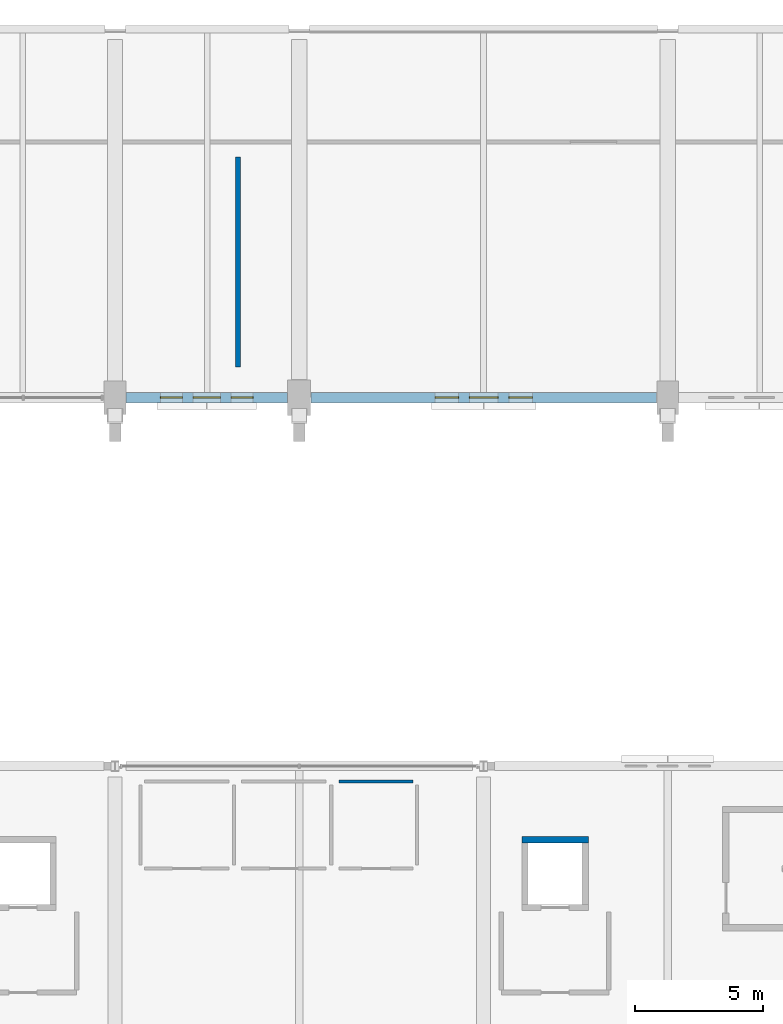
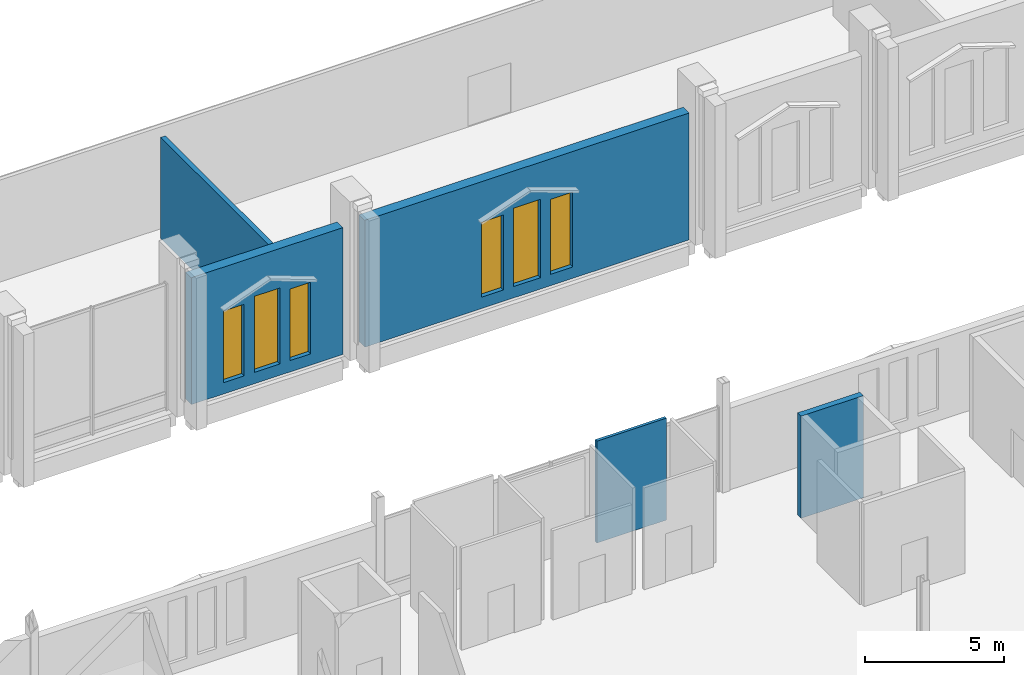
# One storey, part 151 of 220: 6 windows, 5 walls, 6 openings.
"""IFC4 building model written with IfcOpenShell, lengths in metres."""

from ifc_helpers import new_model, si_unit, direction, frame, frame_2d, origin, place, context, subcontext, project, spatial, rectangle, extrude, material, layer, layer_set, type_object, element, fill, save


model = new_model("IFC4")

# Units and contexts
model_context = context("Model", 3, precision=1e-05, world=origin(), true_north=direction((0.0, 1.0)))
body_context = subcontext(model_context, "Body", "Model", "MODEL_VIEW")
ifc_project = project(units=[si_unit("LENGTHUNIT", "METRE"), si_unit("AREAUNIT", "SQUARE_METRE"), si_unit("VOLUMEUNIT", "CUBIC_METRE"), si_unit("PLANEANGLEUNIT", "RADIAN"), si_unit("MASSUNIT", "GRAM", prefix="KILO")], contexts=[model_context])

# Site, building, storey
site_placement = place(None, origin())
site = spatial("IfcSite", under=ifc_project, at=site_placement, CompositionType="ELEMENT")
building_placement = place(site_placement, origin())
building = spatial("IfcBuilding", under=site, at=building_placement, Name="Cendralis Lancet Convention Centre", CompositionType="ELEMENT")
storey_placement = place(building_placement, frame((0.0, 0.0, 5.39990234375)))
storey = spatial("IfcBuildingStorey", under=building, at=storey_placement, Name="L01", CompositionType="ELEMENT", Elevation=5.39990234375)

# Wall, openings, windows
ifc_material_1 = material(Name="Buff sandstone ashlar and Concrete G40 (C40/50)", Category="masonry")
ifc_layer_1 = layer(ifc_material_1, 0.419921875, Name="Buff sandstone ashlar and Concrete G40 (C40/50)")
ifc_layer_set_1 = layer_set([ifc_layer_1], Name="Buff sandstone ashlar and Concrete G40 (C40/50)")
wall_type_1 = type_object("IfcWallType", Name="ARC-EW-W420", PredefinedType="STANDARD", material=ifc_layer_set_1)
wall_1_placement = place(storey_placement, frame((49.94189453125, 50.39990234375, 0.0), z_axis=(0.0, 0.0, 1.0), x_axis=(-1.0, 0.0, 0.0)))
wall_1 = element("IfcWall", 1, at=wall_1_placement, inside=storey, type_object=wall_type_1, Name="L01 V1 Exterior Wall EW-01 #0056", PredefinedType="STANDARD", context=body_context, shape_type="SweptSolid", body=[
    extrude(rectangle(XDim=6.308837890625, YDim=0.419921875, at=frame_2d((3.154296875, 0.0))), origin(), (0.0, 0.0, 1.0), 5.585205078125),
])
opening_1_placement = place(wall_1_placement, frame((1.344482421875, 0.0, 0.5)))
opening_1 = element("IfcOpeningElement", 2, at=opening_1_placement, cuts=wall_1, Name="Opening WN-03", PredefinedType="OPENING", context=body_context, shape_type="SweptSolid", body=[
    extrude(rectangle(XDim=0.860107421875, YDim=3.14990234375, at=frame_2d((0.43017578125, 1.574951171875))), frame((0.0, 0.219970703125, 0.0), z_axis=(0.0, -1.0, 0.0), x_axis=(1.0, 0.0, 0.0)), (0.0, 0.0, 1.0), 0.43994140625),
])
opening_2_placement = place(wall_1_placement, frame((2.62451171875, 0.0, 0.5)))
opening_2 = element("IfcOpeningElement", 3, at=opening_2_placement, cuts=wall_1, Name="Opening WN-11", PredefinedType="OPENING", context=body_context, shape_type="SweptSolid", body=[
    extrude(rectangle(XDim=1.06005859375, YDim=3.35009765625, at=frame_2d((0.530029296875, 1.675048828125))), frame((0.0, 0.219970703125, 0.0), z_axis=(0.0, -1.0, 0.0), x_axis=(1.0, 0.0, 0.0)), (0.0, 0.0, 1.0), 0.43994140625),
])
opening_3_placement = place(wall_1_placement, frame((4.1044921875, 0.0, 0.5)))
opening_3 = element("IfcOpeningElement", 4, at=opening_3_placement, cuts=wall_1, Name="Opening WN-03", PredefinedType="OPENING", context=body_context, shape_type="SweptSolid", body=[
    extrude(rectangle(XDim=0.860107421875, YDim=3.14990234375, at=frame_2d((0.43017578125, 1.574951171875))), frame((0.0, 0.219970703125, 0.0), z_axis=(0.0, -1.0, 0.0), x_axis=(1.0, 0.0, 0.0)), (0.0, 0.0, 1.0), 0.43994140625),
])
ifc_material_2 = material(Name="Double-glazed low-E solar-control glass", Category="glass")
window_type_1 = type_object("IfcWindowType", Name="ARC-WN-LW03", PartitioningType="SINGLE_PANEL", PredefinedType="WINDOW", material=ifc_material_2)
window_1_placement = place(opening_1_placement, origin())
window_1 = element("IfcWindow", 5, at=window_1_placement, inside=storey, type_object=window_type_1, Name="Gothic Lancet Window WN-03 #0082", OverallHeight=3.14990234375, OverallWidth=0.860107421875, PartitioningType="SINGLE_PANEL", PredefinedType="WINDOW", context=body_context, shape_type="SweptSolid", body=[
    extrude(rectangle(XDim=0.860107421875, YDim=3.14990234375, at=frame_2d((0.43017578125, 1.574951171875))), frame((0.0, 0.030029296875, 0.0), z_axis=(0.0, -1.0, 0.0), x_axis=(1.0, 0.0, 0.0)), (0.0, 0.0, 1.0), 0.06005859375),
])
fill(opening_1, window_1)
window_2_placement = place(opening_3_placement, origin())
window_2 = element("IfcWindow", 6, at=window_2_placement, inside=storey, type_object=window_type_1, Name="Gothic Lancet Window WN-03 #0084", OverallHeight=3.14990234375, OverallWidth=0.860107421875, PartitioningType="SINGLE_PANEL", PredefinedType="WINDOW", context=body_context, shape_type="SweptSolid", body=[
    extrude(rectangle(XDim=0.860107421875, YDim=3.14990234375, at=frame_2d((0.43017578125, 1.574951171875))), frame((0.0, 0.030029296875, 0.0), z_axis=(0.0, -1.0, 0.0), x_axis=(1.0, 0.0, 0.0)), (0.0, 0.0, 1.0), 0.06005859375),
])
fill(opening_3, window_2)
window_type_2 = type_object("IfcWindowType", Name="ARC-WN-LW11", PartitioningType="SINGLE_PANEL", PredefinedType="WINDOW", material=ifc_material_2)
window_3_placement = place(opening_2_placement, origin())
window_3 = element("IfcWindow", 7, at=window_3_placement, inside=storey, type_object=window_type_2, Name="Gothic Lancet Window WN-11 #0083", OverallHeight=3.35009765625, OverallWidth=1.06005859375, PartitioningType="SINGLE_PANEL", PredefinedType="WINDOW", context=body_context, shape_type="SweptSolid", body=[
    extrude(rectangle(XDim=1.06005859375, YDim=3.35009765625, at=frame_2d((0.530029296875, 1.675048828125))), frame((0.0, 0.030029296875, 0.0), z_axis=(0.0, -1.0, 0.0), x_axis=(1.0, 0.0, 0.0)), (0.0, 0.0, 1.0), 0.06005859375),
])
fill(opening_2, window_3)

wall_2_placement = place(storey_placement, frame((64.366943359375, 50.39990234375, 0.0), z_axis=(0.0, 0.0, 1.0), x_axis=(-1.0, 0.0, 0.0)))
wall_2 = element("IfcWall", 8, at=wall_2_placement, inside=storey, type_object=wall_type_1, Name="L01 V1 Exterior Wall EW-01 #0057", PredefinedType="STANDARD", context=body_context, shape_type="SweptSolid", body=[
    extrude(rectangle(XDim=13.509033203125, YDim=0.419921875, at=frame_2d((6.75439453125, 0.0))), origin(), (0.0, 0.0, 1.0), 5.585205078125),
])
opening_4_placement = place(wall_2_placement, frame((4.8544921875, 0.0, 0.5)))
opening_4 = element("IfcOpeningElement", 9, at=opening_4_placement, cuts=wall_2, Name="Opening WN-04", PredefinedType="OPENING", context=body_context, shape_type="SweptSolid", body=[
    extrude(rectangle(XDim=0.919921875, YDim=3.300048828125, at=frame_2d((0.4599609375, 1.64990234375))), frame((0.0, 0.219970703125, 0.0), z_axis=(0.0, -1.0, 0.0), x_axis=(1.0, 0.0, 0.0)), (0.0, 0.0, 1.0), 0.43994140625),
])
opening_5_placement = place(wall_2_placement, frame((6.194580078125, 0.0, 0.5)))
opening_5 = element("IfcOpeningElement", 10, at=opening_5_placement, cuts=wall_2, Name="Opening WN-12", PredefinedType="OPENING", context=body_context, shape_type="SweptSolid", body=[
    extrude(rectangle(XDim=1.1201171875, YDim=3.449951171875, at=frame_2d((0.56005859375, 1.72509765625))), frame((0.0, 0.219970703125, 0.0), z_axis=(0.0, -1.0, 0.0), x_axis=(1.0, 0.0, 0.0)), (0.0, 0.0, 1.0), 0.43994140625),
])
opening_6_placement = place(wall_2_placement, frame((7.734619140625, 0.0, 0.5)))
opening_6 = element("IfcOpeningElement", 11, at=opening_6_placement, cuts=wall_2, Name="Opening WN-04", PredefinedType="OPENING", context=body_context, shape_type="SweptSolid", body=[
    extrude(rectangle(XDim=0.919921875, YDim=3.300048828125, at=frame_2d((0.4599609375, 1.64990234375))), frame((0.0, 0.219970703125, 0.0), z_axis=(0.0, -1.0, 0.0), x_axis=(1.0, 0.0, 0.0)), (0.0, 0.0, 1.0), 0.43994140625),
])
window_type_3 = type_object("IfcWindowType", Name="ARC-WN-LW04", PartitioningType="SINGLE_PANEL", PredefinedType="WINDOW", material=ifc_material_2)
window_4_placement = place(opening_4_placement, origin())
window_4 = element("IfcWindow", 12, at=window_4_placement, inside=storey, type_object=window_type_3, Name="Gothic Lancet Window WN-04 #0085", OverallHeight=3.300048828125, OverallWidth=0.919921875, PartitioningType="SINGLE_PANEL", PredefinedType="WINDOW", context=body_context, shape_type="SweptSolid", body=[
    extrude(rectangle(XDim=0.919921875, YDim=3.300048828125, at=frame_2d((0.4599609375, 1.64990234375))), frame((0.0, 0.030029296875, 0.0), z_axis=(0.0, -1.0, 0.0), x_axis=(1.0, 0.0, 0.0)), (0.0, 0.0, 1.0), 0.06005859375),
])
fill(opening_4, window_4)
window_5_placement = place(opening_6_placement, origin())
window_5 = element("IfcWindow", 13, at=window_5_placement, inside=storey, type_object=window_type_3, Name="Gothic Lancet Window WN-04 #0087", OverallHeight=3.300048828125, OverallWidth=0.919921875, PartitioningType="SINGLE_PANEL", PredefinedType="WINDOW", context=body_context, shape_type="SweptSolid", body=[
    extrude(rectangle(XDim=0.919921875, YDim=3.300048828125, at=frame_2d((0.4599609375, 1.64990234375))), frame((0.0, 0.030029296875, 0.0), z_axis=(0.0, -1.0, 0.0), x_axis=(1.0, 0.0, 0.0)), (0.0, 0.0, 1.0), 0.06005859375),
])
fill(opening_6, window_5)
window_type_4 = type_object("IfcWindowType", Name="ARC-WN-LW12", PartitioningType="SINGLE_PANEL", PredefinedType="WINDOW", material=ifc_material_2)
window_6_placement = place(opening_5_placement, origin())
window_6 = element("IfcWindow", 14, at=window_6_placement, inside=storey, type_object=window_type_4, Name="Gothic Lancet Window WN-12 #0086", OverallHeight=3.449951171875, OverallWidth=1.1201171875, PartitioningType="SINGLE_PANEL", PredefinedType="WINDOW", context=body_context, shape_type="SweptSolid", body=[
    extrude(rectangle(XDim=1.1201171875, YDim=3.449951171875, at=frame_2d((0.56005859375, 1.72509765625))), frame((0.0, 0.030029296875, 0.0), z_axis=(0.0, -1.0, 0.0), x_axis=(1.0, 0.0, 0.0)), (0.0, 0.0, 1.0), 0.06005859375),
])
fill(opening_5, window_6)

# Walls
ifc_material_3 = material(Name="Acoustic fire-rated gypsum board on steel studs", Category="steel")
ifc_layer_2 = layer(ifc_material_3, 0.1201171875, Name="Acoustic fire-rated gypsum board on steel studs")
ifc_layer_set_2 = layer_set([ifc_layer_2], Name="Acoustic fire-rated gypsum board on steel studs")
wall_type_2 = type_object("IfcWallType", Name="ARC-IW-P120", PredefinedType="PARTITIONING", material=ifc_layer_set_2)
wall_3_placement = place(storey_placement, frame((51.949951171875, 35.39990234375, 0.0), z_axis=(0.0, 0.0, 1.0), x_axis=(1.0, 0.0, 0.0)))
element("IfcWall", 15, at=wall_3_placement, inside=storey, type_object=wall_type_2, Name="L01 Interior Partition IW-05 #0253", PredefinedType="PARTITIONING", context=body_context, shape_type="SweptSolid", body=[
    extrude(rectangle(XDim=2.900146484375, YDim=0.1201171875, at=frame_2d((1.4501953125, 0.0))), origin(), (0.0, 0.0, 1.0), 4.485107421875),
])
ifc_material_4 = material(Name="Motorised acoustic operable panel system")
ifc_layer_3 = layer(ifc_material_4, 0.195068359375, Name="Motorised acoustic operable panel system")
ifc_layer_set_3 = layer_set([ifc_layer_3], Name="Motorised acoustic operable panel system")
wall_type_3 = type_object("IfcWallType", Name="ARC-MW-MV195", PredefinedType="MOVABLE", material=ifc_layer_set_3)
wall_4_placement = place(storey_placement, frame((48.0, 51.60009765625, 0.0), z_axis=(0.0, 0.0, 1.0), x_axis=(0.0, 1.0, 0.0)))
element("IfcWall", 16, at=wall_4_placement, inside=storey, type_object=wall_type_3, Name="L01 Operable Acoustic Partition MW-02 #05", PredefinedType="MOVABLE", context=body_context, shape_type="SweptSolid", body=[
    extrude(rectangle(XDim=8.199951171875, YDim=0.195068359375, at=frame_2d((4.10009765625, 0.0))), origin(), (0.0, 0.0, 1.0), 4.4501953125),
])
ifc_material_5 = material(Name="Concrete G40 (C40/50)", Category="concrete")
ifc_layer_4 = layer(ifc_material_5, 0.25, Name="Concrete G40 (C40/50)")
ifc_layer_set_4 = layer_set([ifc_layer_4], Name="Concrete G40 (C40/50)")
wall_type_4 = type_object("IfcWallType", Name="STR-SW-CW250", PredefinedType="SHEAR", material=ifc_layer_set_4)
wall_5_placement = place(storey_placement, frame((59.10009765625, 33.125, 0.0), z_axis=(0.0, 0.0, 1.0), x_axis=(1.0, 0.0, 0.0)))
element("IfcWall", 17, at=wall_5_placement, inside=storey, type_object=wall_type_4, Name="L01 Lift LP-04 North Shaft Wall", PredefinedType="SHEAR", context=body_context, shape_type="SweptSolid", body=[
    extrude(rectangle(XDim=2.599853515625, YDim=0.25, at=frame_2d((1.2998046875, 0.0))), origin(), (0.0, 0.0, 1.0), 4.5),
])

save(model, "model.ifc")
